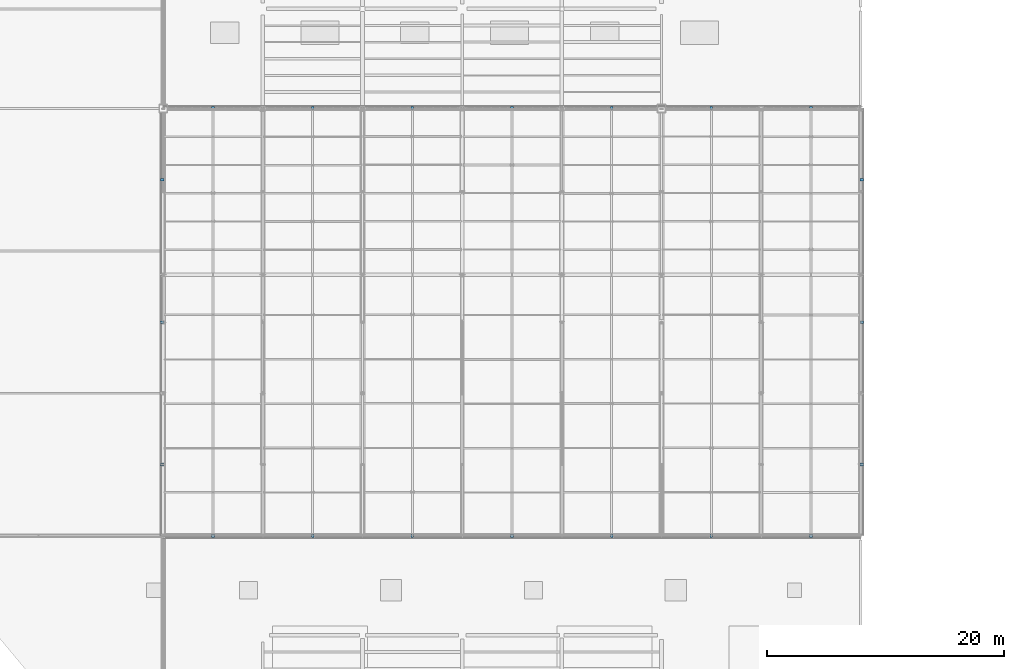
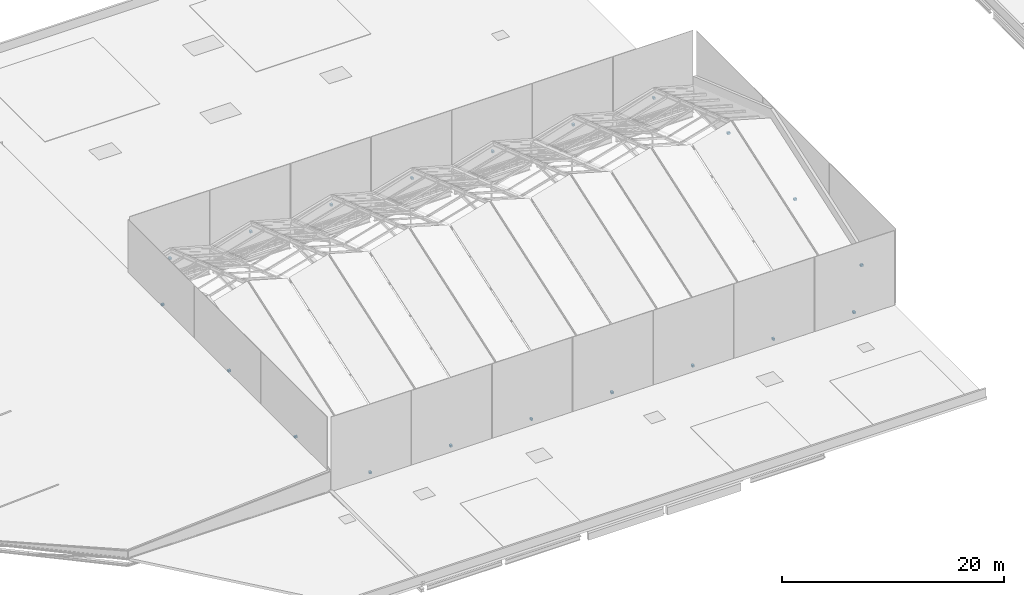
# One storey, part 75 of 77: 20 discrete accessories.
"""IFC4 building model written with IfcOpenShell, lengths in metres."""

from ifc_helpers import new_model, si_unit, direction, frame, origin, origin_2d, place, context, subcontext, project, spatial, rectangle, extrude, material, layer, layer_set, type_object, element, save


model = new_model("IFC4")

# Units and contexts
model_context = context("Model", 3, precision=1e-05, world=origin(), true_north=direction((0.0, 1.0)))
body_context = subcontext(model_context, "Body", "Model", "MODEL_VIEW")
ifc_project = project(units=[si_unit("LENGTHUNIT", "METRE"), si_unit("AREAUNIT", "SQUARE_METRE"), si_unit("VOLUMEUNIT", "CUBIC_METRE"), si_unit("PLANEANGLEUNIT", "RADIAN"), si_unit("MASSUNIT", "GRAM", prefix="KILO")], contexts=[model_context])

# Site, building, storey
site_placement = place(None, origin())
site = spatial("IfcSite", under=ifc_project, at=site_placement, CompositionType="ELEMENT")
building_placement = place(site_placement, origin())
building = spatial("IfcBuilding", under=site, at=building_placement, Name="Larkvane Passage Sports Hall", CompositionType="ELEMENT")
storey_placement = place(building_placement, frame((0.0, 0.0, 22.199951171875)))
storey = spatial("IfcBuildingStorey", under=building, at=storey_placement, Name="RF", CompositionType="ELEMENT", Elevation=22.199951171875)

# Discrete accessories
ifc_material = material(Name="Steel S355JR", Category="steel")
ifc_layer = layer(ifc_material, 0.179931640625)
ifc_layer_set = layer_set([ifc_layer], Name="Steel S355JR")
discrete_accessory_type = type_object("IfcDiscreteAccessoryType", Name="ACC-BRACKET-STL", PredefinedType="BRACKET", material=ifc_layer_set)
for number, where, z_axis, x_axis, name in (
    (1, (39.0, 39.550048828125, 0.5400390625), (0.0, 0.0, 1.0), (1.0, 0.0, 0.0), "Arena crown south screen outrigger bracket 1"),
    (2, (39.0, 75.64990234375, 2.240234375), (0.0, 0.0, 1.0), (1.0, 0.0, 0.0), "Arena crown north screen outrigger bracket 1"),
    (3, (47.39990234375, 39.550048828125, 0.5400390625), (0.0, 0.0, 1.0), (1.0, 0.0, 0.0), "Arena crown south screen outrigger bracket 2"),
    (4, (47.39990234375, 75.64990234375, 2.240234375), (0.0, 0.0, 1.0), (1.0, 0.0, 0.0), "Arena crown north screen outrigger bracket 2"),
    (5, (55.800048828125, 39.550048828125, 0.5400390625), (0.0, 0.0, 1.0), (1.0, 0.0, 0.0), "Arena crown south screen outrigger bracket 3"),
    (6, (55.800048828125, 75.64990234375, 2.240234375), (0.0, 0.0, 1.0), (1.0, 0.0, 0.0), "Arena crown north screen outrigger bracket 3"),
    (7, (64.199951171875, 39.550048828125, 0.5400390625), (0.0, 0.0, 1.0), (1.0, 0.0, 0.0), "Arena crown south screen outrigger bracket 4"),
    (8, (64.199951171875, 75.64990234375, 2.240234375), (0.0, 0.0, 1.0), (1.0, 0.0, 0.0), "Arena crown north screen outrigger bracket 4"),
    (9, (72.60009765625, 39.550048828125, 0.5400390625), (0.0, 0.0, 1.0), (1.0, 0.0, 0.0), "Arena crown south screen outrigger bracket 5"),
    (10, (72.60009765625, 75.64990234375, 2.240234375), (0.0, 0.0, 1.0), (1.0, 0.0, 0.0), "Arena crown north screen outrigger bracket 5"),
    (11, (81.0, 39.550048828125, 0.5400390625), (0.0, 0.0, 1.0), (1.0, 0.0, 0.0), "Arena crown south screen outrigger bracket 6"),
    (12, (81.0, 75.64990234375, 2.240234375), (0.0, 0.0, 1.0), (1.0, 0.0, 0.0), "Arena crown north screen outrigger bracket 6"),
    (13, (89.39990234375, 39.550048828125, 0.5400390625), (0.0, 0.0, 1.0), (1.0, 0.0, 0.0), "Arena crown south screen outrigger bracket 7"),
    (14, (89.39990234375, 75.64990234375, 2.240234375), (0.0, 0.0, 1.0), (1.0, 0.0, 0.0), "Arena crown north screen outrigger bracket 7"),
    (15, (34.719970703125, 45.60009765625, 2.2900390625), (0.0, 0.0, 1.0), (0.0, 1.0, 0.0), "Arena crown west screen outrigger bracket 1"),
    (16, (93.679931640625, 45.60009765625, 0.5400390625), (0.0, 0.0, 1.0), (0.0, 1.0, 0.0), "Arena crown east screen outrigger bracket 1"),
    (17, (34.719970703125, 57.60009765625, 2.2900390625), (0.0, 0.0, 1.0), (0.0, 1.0, 0.0), "Arena crown west screen outrigger bracket 2"),
    (18, (93.679931640625, 57.60009765625, 0.5400390625), (0.0, 0.0, 1.0), (0.0, 1.0, 0.0), "Arena crown east screen outrigger bracket 2"),
    (19, (34.719970703125, 69.60009765625, 2.2900390625), (0.0, 0.0, 1.0), (0.0, 1.0, 0.0), "Arena crown west screen outrigger bracket 3"),
    (20, (93.679931640625, 69.60009765625, 0.5400390625), (0.0, 0.0, 1.0), (0.0, 1.0, 0.0), "Arena crown east screen outrigger bracket 3"),
):
    element("IfcDiscreteAccessory", number, at=place(storey_placement, frame(where, z_axis=z_axis, x_axis=x_axis)), inside=storey, type_object=discrete_accessory_type, Name=name, PredefinedType="BRACKET", context=body_context, shape_type="SweptSolid", body=[
        extrude(rectangle(XDim=0.219970703125, YDim=0.280029296875, at=origin_2d()), origin(), (0.0, 0.0, 1.0), 0.219970703125),
    ])

save(model, "model.ifc")
